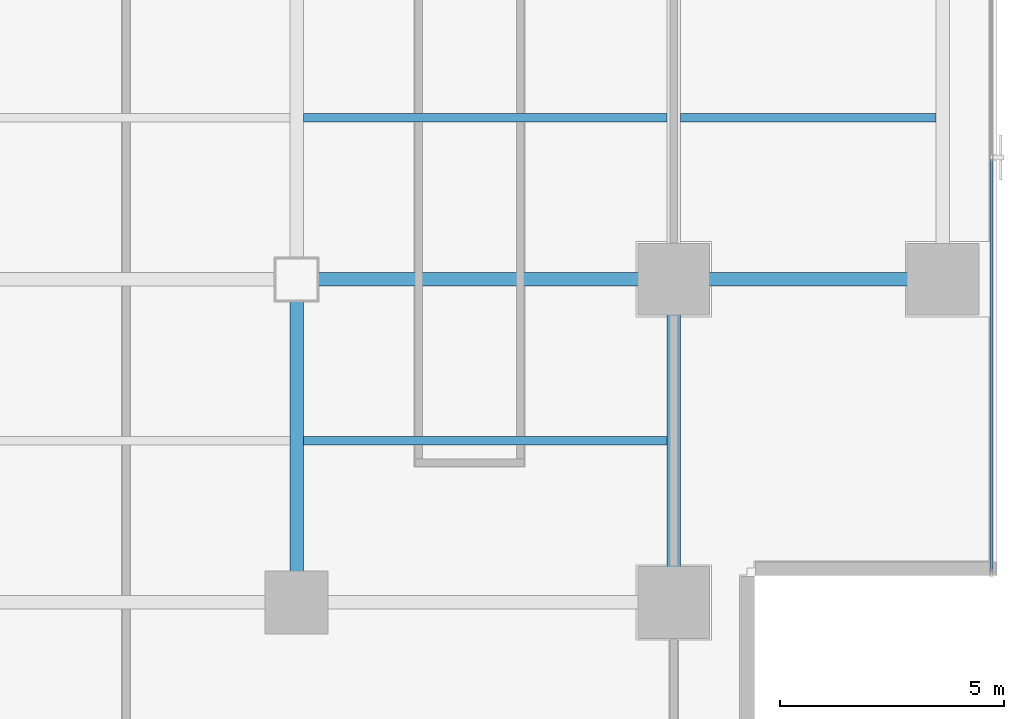
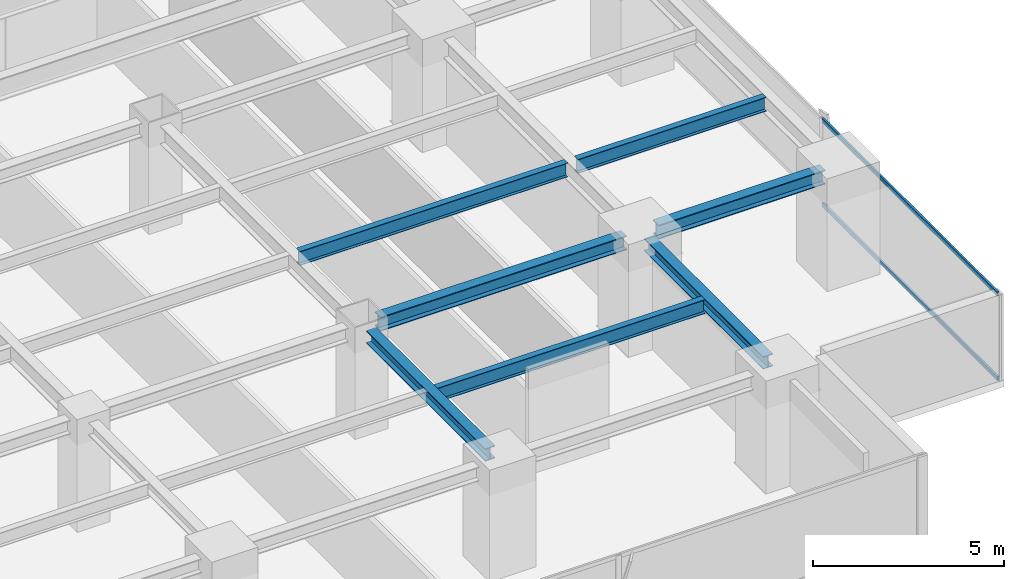
# One storey, part 10 of 27: 7 beams, 2 members, 1 element without a shape of its own.
"""IFC4 building model written with IfcOpenShell, lengths in metres."""

from ifc_helpers import new_model, si_unit, direction, frame, origin, origin_2d, place, context, subcontext, project, spatial, hollow_rectangle, i_section, extrude, source, transform, mapped, material, layer, layer_set, material_profile, profile_set, type_object, element, aggregate, save


model = new_model("IFC4")

# Units and contexts
model_context = context("Model", 3, precision=1e-05, world=origin(), true_north=direction((0.0, 1.0)))
body_context = subcontext(model_context, "Body", "Model", "MODEL_VIEW")
ifc_project = project(units=[si_unit("LENGTHUNIT", "METRE"), si_unit("AREAUNIT", "SQUARE_METRE"), si_unit("VOLUMEUNIT", "CUBIC_METRE"), si_unit("PLANEANGLEUNIT", "RADIAN"), si_unit("MASSUNIT", "GRAM", prefix="KILO")], contexts=[model_context])

# Site, building, storey
site_placement = place(None, origin())
site = spatial("IfcSite", under=ifc_project, at=site_placement, CompositionType="ELEMENT")
building_placement = place(site_placement, origin())
building = spatial("IfcBuilding", under=site, at=building_placement, Name="Sumidabori Civic Tower", CompositionType="ELEMENT")
storey_placement = place(building_placement, frame((0.0, 0.0, 160.39990234375)))
storey = spatial("IfcBuildingStorey", under=building, at=storey_placement, Name="L41", CompositionType="ELEMENT", Elevation=160.39990234375)

# Beams
ifc_material_1 = material(Name="Steel SN490", Category="steel")
ifc_material_profile_1 = material_profile(ifc_material_1, i_section(OverallWidth=0.300048828125, OverallDepth=0.39990234375, WebThickness=0.013427734375, FlangeThickness=0.02392578125, at=origin_2d()), Name="HE 400 B")
ifc_profile_set_1 = profile_set([ifc_material_profile_1], Name="Steel SN490")
beam_type_1 = type_object("IfcBeamType", Name="BM-GIRD-400", PredefinedType="BEAM", material=ifc_profile_set_1)
shared_shape_1 = source(origin(), body_context, "Body", "SweptSolid", [
    extrude(i_section(OverallWidth=0.300048828125, OverallDepth=0.39990234375, WebThickness=0.013427734375, FlangeThickness=0.02392578125, at=origin_2d()), origin(), (0.0, 0.0, 1.0), 6.239990234375),
])
for number, where, z_axis, x_axis, name in (
    (1, (8.39990234375, -17.52001953125, 3.18017578125), (0.0, 1.0, 0.0), (-1.0, 0.0, 0.0), "Primary Girder L41 GY-30"),
    (2, (16.800048828125, -17.52001953125, 3.18017578125), (0.0, 1.0, 0.0), (-1.0, 0.0, 0.0), "Primary Girder L41 GY-32"),
):
    element("IfcBeam", number, at=place(storey_placement, frame(where, z_axis=z_axis, x_axis=x_axis)), inside=storey, type_object=beam_type_1, Name=name, PredefinedType="BEAM", context=body_context, shape_type="MappedRepresentation", body=[
        mapped(shared_shape_1, transform((0.0, 0.0, 0.0), x_axis=(1.0, 0.0, 0.0), y_axis=(0.0, 1.0, 0.0), z_axis=(0.0, 0.0, 1.0), scale=1.0)),
    ])
ifc_material_profile_2 = material_profile(ifc_material_1, i_section(OverallWidth=0.18994140625, OverallDepth=0.449951171875, WebThickness=0.009521484375, FlangeThickness=0.0146484375, at=origin_2d()), Name="IPE 450")
ifc_profile_set_2 = profile_set([ifc_material_profile_2], Name="Steel SN490")
beam_type_2 = type_object("IfcBeamType", Name="BM-JST-450", PredefinedType="JOIST", material=ifc_profile_set_2)
shared_shape_2 = source(origin(), body_context, "Body", "SweptSolid", [
    extrude(i_section(OverallWidth=0.18994140625, OverallDepth=0.449951171875, WebThickness=0.009521484375, FlangeThickness=0.0146484375, at=origin_2d()), origin(), (0.0, 0.0, 1.0), 5.699951171875),
])
beam_1_placement = place(storey_placement, frame((16.949951171875, -7.199951171875, 3.155029296875), z_axis=(1.0, 0.0, 0.0), x_axis=(0.0, 1.0, 0.0)))
element("IfcBeam", 3, at=beam_1_placement, inside=storey, type_object=beam_type_2, Name="Outer Bay Floor Joist L41 JSTO-40", PredefinedType="JOIST", context=body_context, shape_type="MappedRepresentation", body=[
    mapped(shared_shape_2, transform((0.0, 0.0, 0.0), x_axis=(1.0, 0.0, 0.0), y_axis=(0.0, 1.0, 0.0), z_axis=(0.0, 0.0, 1.0), scale=1.0)),
])
shared_shape_3 = source(origin(), body_context, "Body", "SweptSolid", [
    extrude(i_section(OverallWidth=0.18994140625, OverallDepth=0.449951171875, WebThickness=0.009521484375, FlangeThickness=0.0146484375, at=origin_2d()), origin(), (0.0, 0.0, 1.0), 8.099853515625),
])
for number, where, z_axis, x_axis, name in (
    (4, (8.550048828125, -14.39990234375, 3.155029296875), (1.0, 0.0, 0.0), (0.0, 1.0, 0.0), "South Bay Floor Joist L41 JSTS-52"),
    (5, (8.550048828125, -7.199951171875, 3.155029296875), (1.0, 0.0, 0.0), (0.0, 1.0, 0.0), "South Bay Floor Joist L41 JSTS-56"),
):
    element("IfcBeam", number, at=place(storey_placement, frame(where, z_axis=z_axis, x_axis=x_axis)), inside=storey, type_object=beam_type_2, Name=name, PredefinedType="JOIST", context=body_context, shape_type="MappedRepresentation", body=[
        mapped(shared_shape_3, transform((0.0, 0.0, 0.0), x_axis=(1.0, 0.0, 0.0), y_axis=(0.0, 1.0, 0.0), z_axis=(0.0, 0.0, 1.0), scale=1.0)),
    ])
ifc_material_profile_3 = material_profile(ifc_material_1, i_section(OverallWidth=0.300048828125, OverallDepth=0.449951171875, WebThickness=0.013916015625, FlangeThickness=0.02587890625, at=origin_2d()), Name="HE 450 B")
ifc_profile_set_3 = profile_set([ifc_material_profile_3], Name="Steel SN490")
beam_type_3 = type_object("IfcBeamType", Name="BM-GIRD-450", PredefinedType="BEAM", material=ifc_profile_set_3)
shared_shape_4 = source(origin(), body_context, "Body", "SweptSolid", [
    extrude(i_section(OverallWidth=0.300048828125, OverallDepth=0.449951171875, WebThickness=0.013916015625, FlangeThickness=0.02587890625, at=origin_2d()), origin(), (0.0, 0.0, 1.0), 7.440185546875),
])
beam_2_placement = place(storey_placement, frame((8.8798828125, -10.800048828125, 3.155029296875), z_axis=(1.0, 0.0, 0.0), x_axis=(0.0, 1.0, 0.0)))
element("IfcBeam", 6, at=beam_2_placement, inside=storey, type_object=beam_type_3, Name="Primary Girder L41 GX-09", PredefinedType="BEAM", context=body_context, shape_type="MappedRepresentation", body=[
    mapped(shared_shape_4, transform((0.0, 0.0, 0.0), x_axis=(1.0, 0.0, 0.0), y_axis=(0.0, 1.0, 0.0), z_axis=(0.0, 0.0, 1.0), scale=1.0)),
])
shared_shape_5 = source(origin(), body_context, "Body", "SweptSolid", [
    extrude(i_section(OverallWidth=0.300048828125, OverallDepth=0.449951171875, WebThickness=0.013916015625, FlangeThickness=0.02587890625, at=origin_2d()), origin(), (0.0, 0.0, 1.0), 5.0400390625),
])
beam_3_placement = place(storey_placement, frame((17.280029296875, -10.800048828125, 3.155029296875), z_axis=(1.0, 0.0, 0.0), x_axis=(0.0, 1.0, 0.0)))
element("IfcBeam", 7, at=beam_3_placement, inside=storey, type_object=beam_type_3, Name="Primary Girder L41 GX-10", PredefinedType="BEAM", context=body_context, shape_type="MappedRepresentation", body=[
    mapped(shared_shape_5, transform((0.0, 0.0, 0.0), x_axis=(1.0, 0.0, 0.0), y_axis=(0.0, 1.0, 0.0), z_axis=(0.0, 0.0, 1.0), scale=1.0)),
])

# Curtain wall, members
ifc_material_2 = material(Name="Anodised Bronze Aluminium AW-6063-T6", Category="aluminium")
ifc_layer = layer(ifc_material_2, 0.179931640625, Name="Anodised Bronze Aluminium AW-6063-T6")
ifc_layer_set = layer_set([ifc_layer], Name="Anodised Bronze Aluminium AW-6063-T6")
curtain_wall_type = type_object("IfcCurtainWallType", Name="CW-SYS-3", PredefinedType="NOTDEFINED", material=ifc_layer_set)
curtain_wall_placement = place(storey_placement, origin())
curtain_wall = element("IfcCurtainWall", 8, at=curtain_wall_placement, inside=storey, type_object=curtain_wall_type, Name="Curtain Wall CW:L41:R04", PredefinedType="NOTDEFINED")
ifc_material_profile_4 = material_profile(ifc_material_2, hollow_rectangle(XDim=0.06005859375, YDim=0.1298828125, WallThickness=0.0048828125, at=origin_2d()), Name="ALU TRANSOM 130x60")
ifc_profile_set_4 = profile_set([ifc_material_profile_4], Name="Anodised Bronze Aluminium AW-6063-T6")
member_type = type_object("IfcMemberType", Name="CW-TRN-130", PredefinedType="USERDEFINED", material=ifc_profile_set_4)
shared_shape_6 = source(origin(), body_context, "Body", "SweptSolid", [
    extrude(hollow_rectangle(XDim=0.06005859375, YDim=0.1298828125, WallThickness=0.0048828125, at=origin_2d()), origin(), (0.0, 0.0, 1.0), 9.1875),
])
member_1_placement = place(storey_placement, frame((23.8798828125, -17.304931640625, 0.030029296875), z_axis=(0.0, 1.0, 0.0), x_axis=(-1.0, 0.0, 0.0)))
member_1 = element("IfcMember", 9, at=member_1_placement, type_object=member_type, Name="CW-3 transom 1.1", ObjectType="TRANSOM", PredefinedType="USERDEFINED", context=body_context, shape_type="MappedRepresentation", body=[
    mapped(shared_shape_6, transform((0.0, 0.0, 0.0), x_axis=(1.0, 0.0, 0.0), y_axis=(0.0, 1.0, 0.0), z_axis=(0.0, 0.0, 1.0), scale=1.0)),
])
member_2_placement = place(storey_placement, frame((23.8798828125, -17.304931640625, 2.72998046875), z_axis=(0.0, 1.0, 0.0), x_axis=(-1.0, 0.0, 0.0)))
member_2 = element("IfcMember", 10, at=member_2_placement, type_object=member_type, Name="CW-3 transom 1.2", ObjectType="TRANSOM", PredefinedType="USERDEFINED", context=body_context, shape_type="MappedRepresentation", body=[
    mapped(shared_shape_6, transform((0.0, 0.0, 0.0), x_axis=(1.0, 0.0, 0.0), y_axis=(0.0, 1.0, 0.0), z_axis=(0.0, 0.0, 1.0), scale=1.0)),
])
aggregate(curtain_wall, [member_1, member_2])

save(model, "model.ifc")
